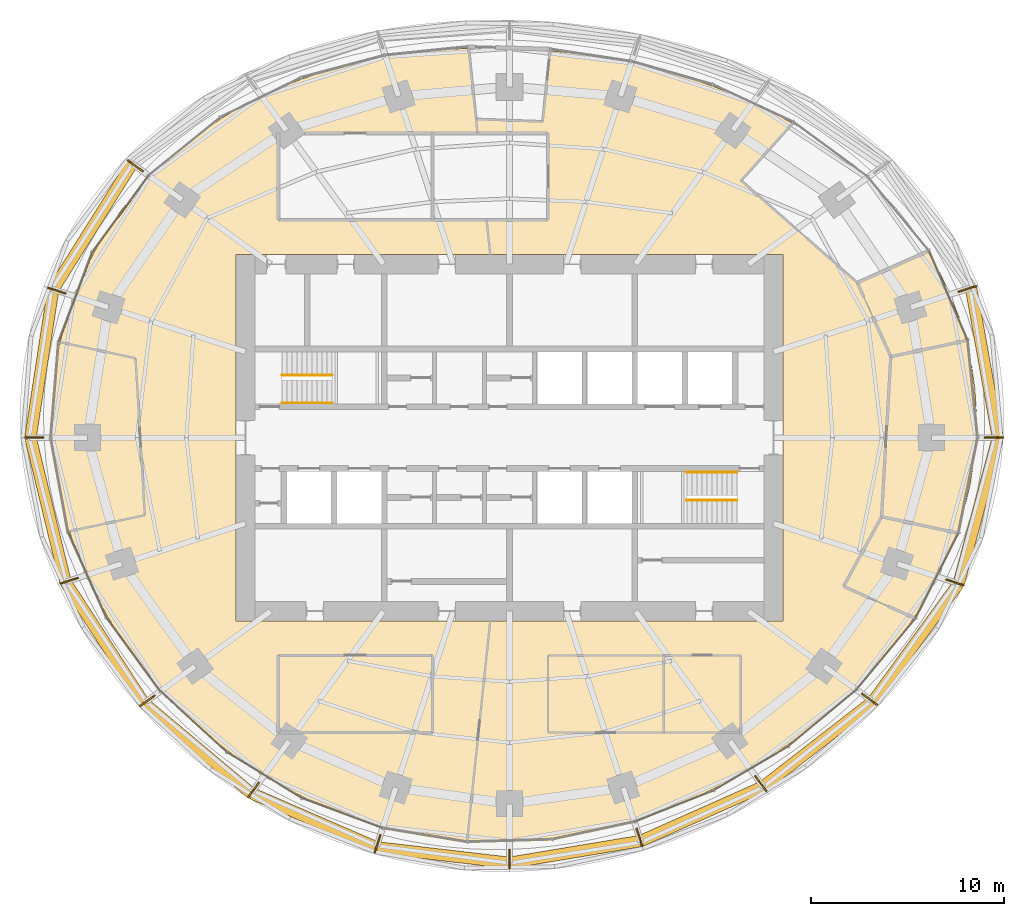
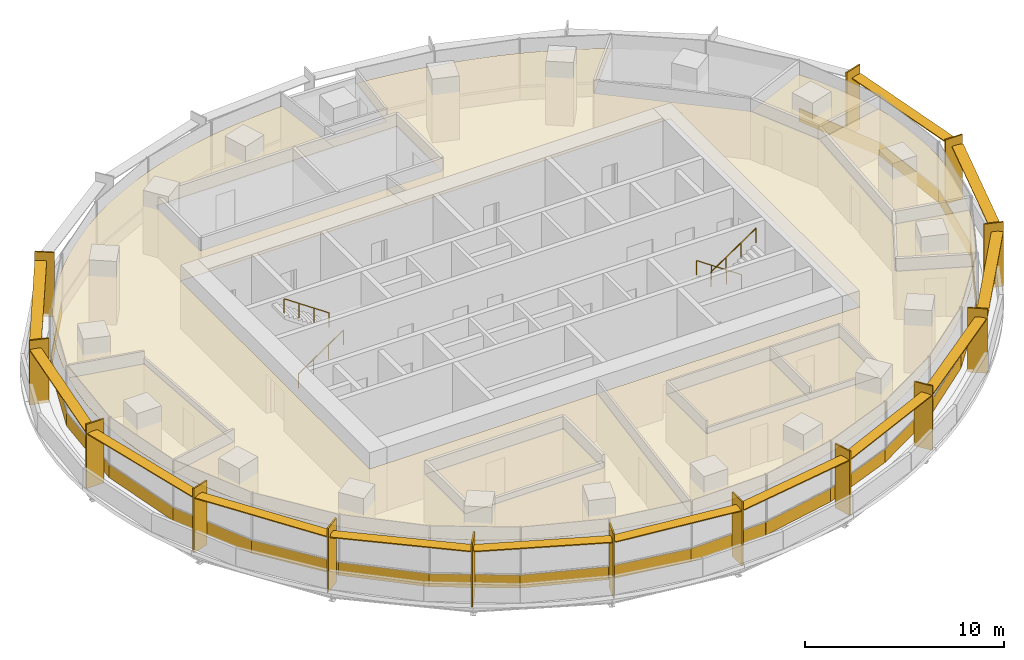
# One storey, part 16 of 17: 29 coverings, 27 shading devices, 4 railings.
"""IFC4 building model written with IfcOpenShell, lengths in metres."""

from ifc_helpers import new_model, si_unit, direction, frame, origin, origin_2d, place, context, subcontext, project, spatial, polyline, rectangle, circle, outline, extrude, material, layer, layer_set, type_object, element, save


model = new_model("IFC4")

# Units and contexts
model_context = context("Model", 3, precision=1e-05, world=origin(), true_north=direction((0.0, 1.0)))
body_context = subcontext(model_context, "Body", "Model", "MODEL_VIEW")
ifc_project = project(units=[si_unit("LENGTHUNIT", "METRE"), si_unit("AREAUNIT", "SQUARE_METRE"), si_unit("VOLUMEUNIT", "CUBIC_METRE"), si_unit("PLANEANGLEUNIT", "RADIAN"), si_unit("MASSUNIT", "GRAM", prefix="KILO")], contexts=[model_context])

# Site, building, storey
site_placement = place(None, origin())
site = spatial("IfcSite", under=ifc_project, at=site_placement, CompositionType="ELEMENT")
building_placement = place(site_placement, origin())
building = spatial("IfcBuilding", under=site, at=building_placement, Name="Marramba Exchange Tower", CompositionType="ELEMENT")
storey_placement = place(building_placement, frame((0.0, 0.0, 172.10009765625)))
storey = spatial("IfcBuildingStorey", under=building, at=storey_placement, Name="L41", CompositionType="ELEMENT", Elevation=172.10009765625)

# Shading devices
ifc_material_1 = material(Name="Aluminium blade, timber-look bronze finish", Category="wood")
ifc_layer_1 = layer(ifc_material_1, 0.080078125)
ifc_layer_set_1 = layer_set([ifc_layer_1], Name="Floor-edge blade 1000x80")
shading_device_type_1 = type_object("IfcShadingDeviceType", Name="Floor-edge blade 1000x80", PredefinedType="USERDEFINED", material=ifc_layer_set_1)
for number, where, z_axis, x_axis, name in (
    (1, (25.14404296875, 0.0, -0.199951171875), (0.0, 0.0, 1.0), (1.0, 0.0, 0.0), "Floor-edge blade FB1 L41 TC01"),
    (2, (23.757080078125, 7.718994140625, -0.199951171875), (0.0, 0.0, 1.0), (0.951056516295, 0.309016994375, 0.0), "Floor-edge blade FB1 L41 TC02"),
    (3, (-19.4140625, 14.105224609375, -0.199951171875), (0.0, 0.0, 1.0), (-0.809016994375, 0.587785252292, 0.0), "Floor-edge blade FB1 L41 TC09"),
    (4, (-23.488525390625, 7.6318359375, -0.199951171875), (0.0, 0.0, 1.0), (-0.951056516295, 0.309016994375, 0.0), "Floor-edge blade FB1 L41 TC10"),
    (5, (-24.656005859375, 0.0, -0.199951171875), (0.0, 0.0, 1.0), (-1.0, 0.0, 0.0), "Floor-edge blade FB1 L41 TC11"),
    (6, (-22.848876953125, -7.424072265625, -0.199951171875), (0.0, 0.0, 1.0), (-0.951056516295, -0.309016994375, 0.0), "Floor-edge blade FB1 L41 TC12"),
    (7, (-18.7998046875, -13.658935546875, -0.199951171875), (0.0, 0.0, 1.0), (-0.809016994375, -0.587785252292, 0.0), "Floor-edge blade FB1 L41 TC13"),
    (8, (-13.2841796875, -18.2841796875, -0.199951171875), (0.0, 0.0, 1.0), (-0.587785252292, -0.809016994375, 0.0), "Floor-edge blade FB1 L41 TC14"),
    (9, (-6.845703125, -21.069091796875, -0.199951171875), (0.0, 0.0, 1.0), (-0.309016994375, -0.951056516295, 0.0), "Floor-edge blade FB1 L41 TC15"),
    (10, (0.0, -21.86376953125, -0.199951171875), (0.0, 0.0, 1.0), (0.0, -1.0, 0.0), "Floor-edge blade FB1 L41 TC16"),
    (11, (6.739501953125, -20.741943359375, -0.199951171875), (0.0, 0.0, 1.0), (0.309016994375, -0.951056516295, 0.0), "Floor-edge blade FB1 L41 TC17"),
    (12, (13.0380859375, -17.9453125, -0.199951171875), (0.0, 0.0, 1.0), (0.587785252292, -0.809016994375, 0.0), "Floor-edge blade FB1 L41 TC18"),
    (13, (18.6845703125, -13.5751953125, -0.199951171875), (0.0, 0.0, 1.0), (0.809016994375, -0.587785252292, 0.0), "Floor-edge blade FB1 L41 TC19"),
    (14, (23.1171875, -7.51123046875, -0.199951171875), (0.0, 0.0, 1.0), (0.951056516295, -0.309016994375, 0.0), "Floor-edge blade FB1 L41 TC20"),
):
    element("IfcShadingDevice", number, at=place(storey_placement, frame(where, z_axis=z_axis, x_axis=x_axis)), inside=storey, type_object=shading_device_type_1, Name=name, ObjectType="FIN", PredefinedType="USERDEFINED", context=body_context, shape_type="SweptSolid", body=[
        extrude(rectangle(XDim=1.0, YDim=0.080078125, at=origin_2d()), origin(), (0.0, 0.0, 1.0), 3.93994140625),
    ])
ifc_material_2 = material(Name="Aluminium sunshade, bronze anodised", Category="aluminium")
ifc_layer_2 = layer(ifc_material_2, 0.06005859375)
ifc_layer_set_2 = layer_set([ifc_layer_2], Name="SUNSHADE blade 600x60")
shading_device_type_2 = type_object("IfcShadingDeviceType", Name="SUNSHADE blade 600x60", PredefinedType="USERDEFINED", material=ifc_layer_set_2)
shading_device_1_placement = place(storey_placement, frame((24.6455078125, 3.890380859375, 3.159912109375), z_axis=(0.0, 0.0, 1.0), x_axis=(-0.176690623809, 0.984266439262, 0.0)))
element("IfcShadingDevice", 15, at=shading_device_1_placement, inside=storey, type_object=shading_device_type_2, Name="Sunshade SS1 L41 bay 01", ObjectType="SUNSHADE", PredefinedType="USERDEFINED", context=body_context, shape_type="SweptSolid", body=[
    extrude(rectangle(XDim=7.8251953125, YDim=0.60009765625, at=origin_2d()), origin(), (0.0, 0.0, 1.0), 0.06005859375),
])
shading_device_2_placement = place(storey_placement, frame((-21.62744140625, 10.958251953125, 3.159912109375), z_axis=(0.0, 0.0, 1.0), x_axis=(-0.532082259983, -0.846692664792, 0.0)))
element("IfcShadingDevice", 16, at=shading_device_2_placement, inside=storey, type_object=shading_device_type_2, Name="Sunshade SS1 L41 bay 09", ObjectType="SUNSHADE", PredefinedType="USERDEFINED", context=body_context, shape_type="SweptSolid", body=[
    extrude(rectangle(XDim=7.631103515625, YDim=0.60009765625, at=origin_2d()), origin(), (0.0, 0.0, 1.0), 0.06005859375),
])
shading_device_3_placement = place(storey_placement, frame((-24.267333984375, 3.846923828125, 3.159912109375), z_axis=(0.0, 0.0, 1.0), x_axis=(-0.151240669327, -0.988496970123, 0.0)))
element("IfcShadingDevice", 17, at=shading_device_3_placement, inside=storey, type_object=shading_device_type_2, Name="Sunshade SS1 L41 bay 10", ObjectType="SUNSHADE", PredefinedType="USERDEFINED", context=body_context, shape_type="SweptSolid", body=[
    extrude(rectangle(XDim=7.703369140625, YDim=0.60009765625, at=origin_2d()), origin(), (0.0, 0.0, 1.0), 0.06005859375),
])
shading_device_4_placement = place(storey_placement, frame((-23.947509765625, -3.742919921875, 3.159912109375), z_axis=(0.0, 0.0, 1.0), x_axis=(0.235861488454, -0.971786683519, 0.0)))
element("IfcShadingDevice", 18, at=shading_device_4_placement, inside=storey, type_object=shading_device_type_2, Name="Sunshade SS1 L41 bay 11", ObjectType="SUNSHADE", PredefinedType="USERDEFINED", context=body_context, shape_type="SweptSolid", body=[
    extrude(rectangle(XDim=7.623291015625, YDim=0.60009765625, at=origin_2d()), origin(), (0.0, 0.0, 1.0), 0.06005859375),
])
shading_device_5_placement = place(storey_placement, frame((-21.000244140625, -10.631103515625, 3.159912109375), z_axis=(0.0, 0.0, 1.0), x_axis=(0.543921771105, -0.839135928749, 0.0)))
element("IfcShadingDevice", 19, at=shading_device_5_placement, inside=storey, type_object=shading_device_type_2, Name="Sunshade SS1 L41 bay 12", ObjectType="SUNSHADE", PredefinedType="USERDEFINED", context=body_context, shape_type="SweptSolid", body=[
    extrude(rectangle(XDim=7.41650390625, YDim=0.60009765625, at=origin_2d()), origin(), (0.0, 0.0, 1.0), 0.06005859375),
])
shading_device_6_placement = place(storey_placement, frame((-16.181640625, -16.111083984375, 3.159912109375), z_axis=(0.0, 0.0, 1.0), x_axis=(0.765761970568, -0.643124097225, 0.0)))
element("IfcShadingDevice", 20, at=shading_device_6_placement, inside=storey, type_object=shading_device_type_2, Name="Sunshade SS1 L41 bay 13", ObjectType="SUNSHADE", PredefinedType="USERDEFINED", context=body_context, shape_type="SweptSolid", body=[
    extrude(rectangle(XDim=7.1806640625, YDim=0.60009765625, at=origin_2d()), origin(), (0.0, 0.0, 1.0), 0.06005859375),
])
shading_device_7_placement = place(storey_placement, frame((-10.154541015625, -19.8525390625, 3.159912109375), z_axis=(0.0, 0.0, 1.0), x_axis=(0.917589256742, -0.397529817639, 0.0)))
element("IfcShadingDevice", 21, at=shading_device_7_placement, inside=storey, type_object=shading_device_type_2, Name="Sunshade SS1 L41 bay 14", ObjectType="SUNSHADE", PredefinedType="USERDEFINED", context=body_context, shape_type="SweptSolid", body=[
    extrude(rectangle(XDim=6.997314453125, YDim=0.60009765625, at=origin_2d()), origin(), (0.0, 0.0, 1.0), 0.06005859375),
])
shading_device_8_placement = place(storey_placement, frame((-3.453857421875, -21.66162109375, 3.159912109375), z_axis=(0.0, 0.0, 1.0), x_axis=(0.993288257497, -0.1156651958, 0.0)))
element("IfcShadingDevice", 22, at=shading_device_8_placement, inside=storey, type_object=shading_device_type_2, Name="Sunshade SS1 L41 bay 15", ObjectType="SUNSHADE", PredefinedType="USERDEFINED", context=body_context, shape_type="SweptSolid", body=[
    extrude(rectangle(XDim=6.874267578125, YDim=0.60009765625, at=origin_2d()), origin(), (0.0, 0.0, 1.0), 0.06005859375),
])
shading_device_9_placement = place(storey_placement, frame((3.400634765625, -21.498046875, 3.159912109375), z_axis=(0.0, 0.0, 1.0), x_axis=(0.986439622954, 0.164124557168, 0.0)))
element("IfcShadingDevice", 23, at=shading_device_9_placement, inside=storey, type_object=shading_device_type_2, Name="Sunshade SS1 L41 bay 16", ObjectType="SUNSHADE", PredefinedType="USERDEFINED", context=body_context, shape_type="SweptSolid", body=[
    extrude(rectangle(XDim=6.814697265625, YDim=0.60009765625, at=origin_2d()), origin(), (0.0, 0.0, 1.0), 0.06005859375),
])
shading_device_10_placement = place(storey_placement, frame((9.978515625, -19.519775390625, 3.159912109375), z_axis=(0.0, 0.0, 1.0), x_axis=(0.913771678576, 0.406228161792, 0.0)))
element("IfcShadingDevice", 24, at=shading_device_10_placement, inside=storey, type_object=shading_device_type_2, Name="Sunshade SS1 L41 bay 17", ObjectType="SUNSHADE", PredefinedType="USERDEFINED", context=body_context, shape_type="SweptSolid", body=[
    extrude(rectangle(XDim=6.8740234375, YDim=0.60009765625, at=origin_2d()), origin(), (0.0, 0.0, 1.0), 0.06005859375),
])
shading_device_11_placement = place(storey_placement, frame((16.0009765625, -15.89990234375, 3.159912109375), z_axis=(0.0, 0.0, 1.0), x_axis=(0.790133082515, 0.612935324414, 0.0)))
element("IfcShadingDevice", 25, at=shading_device_11_placement, inside=storey, type_object=shading_device_type_2, Name="Sunshade SS1 L41 bay 18", ObjectType="SUNSHADE", PredefinedType="USERDEFINED", context=body_context, shape_type="SweptSolid", body=[
    extrude(rectangle(XDim=7.122314453125, YDim=0.60009765625, at=origin_2d()), origin(), (0.0, 0.0, 1.0), 0.06005859375),
])
shading_device_12_placement = place(storey_placement, frame((21.076904296875, -10.6328125, 3.159912109375), z_axis=(0.0, 0.0, 1.0), x_axis=(0.589071758439, 0.808080728275, 0.0)))
element("IfcShadingDevice", 26, at=shading_device_12_placement, inside=storey, type_object=shading_device_type_2, Name="Sunshade SS1 L41 bay 19", ObjectType="SUNSHADE", PredefinedType="USERDEFINED", context=body_context, shape_type="SweptSolid", body=[
    extrude(rectangle(XDim=7.4931640625, YDim=0.60009765625, at=origin_2d()), origin(), (0.0, 0.0, 1.0), 0.06005859375),
])
shading_device_13_placement = place(storey_placement, frame((24.32568359375, -3.78662109375, 3.159912109375), z_axis=(0.0, 0.0, 1.0), x_axis=(0.259692365654, 0.965691397508, 0.0)))
element("IfcShadingDevice", 27, at=shading_device_13_placement, inside=storey, type_object=shading_device_type_2, Name="Sunshade SS1 L41 bay 20", ObjectType="SUNSHADE", PredefinedType="USERDEFINED", context=body_context, shape_type="SweptSolid", body=[
    extrude(rectangle(XDim=7.76220703125, YDim=0.60009765625, at=origin_2d()), origin(), (0.0, 0.0, 1.0), 0.06005859375),
])

# Coverings
ifc_material_3 = material(Name="Aluminium spandrel panel, bronze anodised, insulated", Category="aluminium")
ifc_layer_3 = layer(ifc_material_3, 0.050048828125)
ifc_layer_set_3 = layer_set([ifc_layer_3], Name="Spandrel panel 800")
covering_type_1 = type_object("IfcCoveringType", Name="Spandrel panel 800", PredefinedType="CLADDING", material=ifc_layer_set_3)
covering_1_placement = place(storey_placement, frame((24.036376953125, 2.527099609375, 0.0), z_axis=(0.0, 0.0, 1.0), x_axis=(-0.101422478545, 0.994843445395, 0.0)))
element("IfcCovering", 28, at=covering_1_placement, inside=storey, type_object=covering_type_1, Name="Spandrel panel SP1 L41 F01", PredefinedType="CLADDING", context=body_context, shape_type="SweptSolid", body=[
    extrude(rectangle(XDim=5.08056640625, YDim=0.050048828125, at=origin_2d()), origin(), (0.0, 0.0, 1.0), 0.800048828125),
])
covering_2_placement = place(storey_placement, frame((22.77734375, 7.374755859375, 0.0), z_axis=(0.0, 0.0, 1.0), x_axis=(-0.396193349205, 0.918167103552, 0.0)))
element("IfcCovering", 29, at=covering_2_placement, inside=storey, type_object=covering_type_1, Name="Spandrel panel SP1 L41 F02", PredefinedType="CLADDING", context=body_context, shape_type="SweptSolid", body=[
    extrude(rectangle(XDim=5.0546875, YDim=0.050048828125, at=origin_2d()), origin(), (0.0, 0.0, 1.0), 0.800048828125),
])
covering_3_placement = place(storey_placement, frame((-20.184326171875, 11.62060546875, 0.0), z_axis=(0.0, 0.0, 1.0), x_axis=(-0.591962919465, -0.805965198987, 0.0)))
element("IfcCovering", 30, at=covering_3_placement, inside=storey, type_object=covering_type_1, Name="Spandrel panel SP1 L41 F13", PredefinedType="CLADDING", context=body_context, shape_type="SweptSolid", body=[
    extrude(rectangle(XDim=4.925537109375, YDim=0.050048828125, at=origin_2d()), origin(), (0.0, 0.0, 1.0), 0.800048828125),
])
covering_4_placement = place(storey_placement, frame((-22.518798828125, 7.30419921875, 0.0), z_axis=(0.0, 0.0, 1.0), x_axis=(-0.351951514464, -0.936018232443, 0.0)))
element("IfcCovering", 31, at=covering_4_placement, inside=storey, type_object=covering_type_1, Name="Spandrel panel SP1 L41 F14", PredefinedType="CLADDING", context=body_context, shape_type="SweptSolid", body=[
    extrude(rectangle(XDim=4.981689453125, YDim=0.050048828125, at=origin_2d()), origin(), (0.0, 0.0, 1.0), 0.800048828125),
])
covering_5_placement = place(storey_placement, frame((-23.600830078125, 2.486328125, 0.0), z_axis=(0.0, 0.0, 1.0), x_axis=(-0.082280881776, -0.996609179415, 0.0)))
element("IfcCovering", 32, at=covering_5_placement, inside=storey, type_object=covering_type_1, Name="Spandrel panel SP1 L41 F15", PredefinedType="CLADDING", context=body_context, shape_type="SweptSolid", body=[
    extrude(rectangle(XDim=4.98974609375, YDim=0.050048828125, at=origin_2d()), origin(), (0.0, 0.0, 1.0), 0.800048828125),
])
covering_6_placement = place(storey_placement, frame((-23.359619140625, -2.43505859375, 0.0), z_axis=(0.0, 0.0, 1.0), x_axis=(0.180327442841, -0.983606635479, 0.0)))
element("IfcCovering", 33, at=covering_6_placement, inside=storey, type_object=covering_type_1, Name="Spandrel panel SP1 L41 F16", PredefinedType="CLADDING", context=body_context, shape_type="SweptSolid", body=[
    extrude(rectangle(XDim=4.951416015625, YDim=0.050048828125, at=origin_2d()), origin(), (0.0, 0.0, 1.0), 0.800048828125),
])
covering_7_placement = place(storey_placement, frame((-21.920654296875, -7.093994140625, 0.0), z_axis=(0.0, 0.0, 1.0), x_axis=(0.407557582153, -0.913179509861, 0.0)))
element("IfcCovering", 34, at=covering_7_placement, inside=storey, type_object=covering_type_1, Name="Spandrel panel SP1 L41 F17", PredefinedType="CLADDING", context=body_context, shape_type="SweptSolid", body=[
    extrude(rectangle(XDim=4.870361328125, YDim=0.050048828125, at=origin_2d()), origin(), (0.0, 0.0, 1.0), 0.800048828125),
])
covering_8_placement = place(storey_placement, frame((-19.520263671875, -11.238525390625, 0.0), z_axis=(0.0, 0.0, 1.0), x_axis=(0.591223097085, -0.80650805915, 0.0)))
element("IfcCovering", 35, at=covering_8_placement, inside=storey, type_object=covering_type_1, Name="Spandrel panel SP1 L41 F18", PredefinedType="CLADDING", context=body_context, shape_type="SweptSolid", body=[
    extrude(rectangle(XDim=4.762939453125, YDim=0.050048828125, at=origin_2d()), origin(), (0.0, 0.0, 1.0), 0.800048828125),
])
covering_9_placement = place(storey_placement, frame((-16.396240234375, -14.73193359375, 0.0), z_axis=(0.0, 0.0, 1.0), x_axis=(0.737203259599, -0.67567103981, 0.0)))
element("IfcCovering", 36, at=covering_9_placement, inside=storey, type_object=covering_type_1, Name="Spandrel panel SP1 L41 F19", PredefinedType="CLADDING", context=body_context, shape_type="SweptSolid", body=[
    extrude(rectangle(XDim=4.65478515625, YDim=0.050048828125, at=origin_2d()), origin(), (0.0, 0.0, 1.0), 0.800048828125),
])
covering_10_placement = place(storey_placement, frame((-12.73583984375, -17.497802734375, 0.0), z_axis=(0.0, 0.0, 1.0), x_axis=(0.852301010692, -0.52305161043, 0.0)))
element("IfcCovering", 37, at=covering_10_placement, inside=storey, type_object=covering_type_1, Name="Spandrel panel SP1 L41 F20", PredefinedType="CLADDING", context=body_context, shape_type="SweptSolid", body=[
    extrude(rectangle(XDim=4.563232421875, YDim=0.050048828125, at=origin_2d()), origin(), (0.0, 0.0, 1.0), 0.800048828125),
])
covering_11_placement = place(storey_placement, frame((-8.687255859375, -19.47607421875, 0.0), z_axis=(0.0, 0.0, 1.0), x_axis=(0.936951581946, -0.349459200892, 0.0)))
element("IfcCovering", 38, at=covering_11_placement, inside=storey, type_object=covering_type_1, Name="Spandrel panel SP1 L41 F21", PredefinedType="CLADDING", context=body_context, shape_type="SweptSolid", body=[
    extrude(rectangle(XDim=4.491455078125, YDim=0.050048828125, at=origin_2d()), origin(), (0.0, 0.0, 1.0), 0.800048828125),
])
covering_12_placement = place(storey_placement, frame((-4.393798828125, -20.6181640625, 0.0), z_axis=(0.0, 0.0, 1.0), x_axis=(0.98693062179, -0.161145734582, 0.0)))
element("IfcCovering", 39, at=covering_12_placement, inside=storey, type_object=covering_type_1, Name="Spandrel panel SP1 L41 F22", PredefinedType="CLADDING", context=body_context, shape_type="SweptSolid", body=[
    extrude(rectangle(XDim=4.4365234375, YDim=0.050048828125, at=origin_2d()), origin(), (0.0, 0.0, 1.0), 0.800048828125),
])
covering_13_placement = place(storey_placement, frame((-0.0068359375, -20.9111328125, 0.0), z_axis=(0.0, 0.0, 1.0), x_axis=(0.99956791932, 0.02939344597, 0.0)))
element("IfcCovering", 40, at=covering_13_placement, inside=storey, type_object=covering_type_1, Name="Spandrel panel SP1 L41 F23", PredefinedType="CLADDING", context=body_context, shape_type="SweptSolid", body=[
    extrude(rectangle(XDim=4.3974609375, YDim=0.050048828125, at=origin_2d()), origin(), (0.0, 0.0, 1.0), 0.800048828125),
])
covering_14_placement = place(storey_placement, frame((4.333984375, -20.389892578125, 0.0), z_axis=(0.0, 0.0, 1.0), x_axis=(0.978058068956, 0.208332459664, 0.0)))
element("IfcCovering", 41, at=covering_14_placement, inside=storey, type_object=covering_type_1, Name="Spandrel panel SP1 L41 F24", PredefinedType="CLADDING", context=body_context, shape_type="SweptSolid", body=[
    extrude(rectangle(XDim=4.3818359375, YDim=0.050048828125, at=origin_2d()), origin(), (0.0, 0.0, 1.0), 0.800048828125),
])
covering_15_placement = place(storey_placement, frame((8.525390625, -19.124267578125, 0.0), z_axis=(0.0, 0.0, 1.0), x_axis=(0.93007301151, 0.367374731386, 0.0)))
element("IfcCovering", 42, at=covering_15_placement, inside=storey, type_object=covering_type_1, Name="Spandrel panel SP1 L41 F25", PredefinedType="CLADDING", context=body_context, shape_type="SweptSolid", body=[
    extrude(rectangle(XDim=4.405517578125, YDim=0.050048828125, at=origin_2d()), origin(), (0.0, 0.0, 1.0), 0.800048828125),
])
covering_16_placement = place(storey_placement, frame((12.50634765625, -17.175537109375, 0.0), z_axis=(0.0, 0.0, 1.0), x_axis=(0.861350829898, 0.508010578466, 0.0)))
element("IfcCovering", 43, at=covering_16_placement, inside=storey, type_object=covering_type_1, Name="Spandrel panel SP1 L41 F26", PredefinedType="CLADDING", context=body_context, shape_type="SweptSolid", body=[
    extrude(rectangle(XDim=4.486572265625, YDim=0.050048828125, at=origin_2d()), origin(), (0.0, 0.0, 1.0), 0.800048828125),
])
covering_17_placement = place(storey_placement, frame((16.2177734375, -14.5556640625, 0.0), z_axis=(0.0, 0.0, 1.0), x_axis=(0.768736803132, 0.639565264465, 0.0)))
element("IfcCovering", 44, at=covering_17_placement, inside=storey, type_object=covering_type_1, Name="Spandrel panel SP1 L41 F27", PredefinedType="CLADDING", context=body_context, shape_type="SweptSolid", body=[
    extrude(rectangle(XDim=4.628662109375, YDim=0.050048828125, at=origin_2d()), origin(), (0.0, 0.0, 1.0), 0.800048828125),
])
covering_18_placement = place(storey_placement, frame((19.529541015625, -11.2265625, 0.0), z_axis=(0.0, 0.0, 1.0), x_axis=(0.638149992226, 0.769912064733, 0.0)))
element("IfcCovering", 45, at=covering_18_placement, inside=storey, type_object=covering_type_1, Name="Spandrel panel SP1 L41 F28", PredefinedType="CLADDING", context=body_context, shape_type="SweptSolid", body=[
    extrude(rectangle(XDim=4.80322265625, YDim=0.050048828125, at=origin_2d()), origin(), (0.0, 0.0, 1.0), 0.800048828125),
])
covering_19_placement = place(storey_placement, frame((22.17919921875, -7.16455078125, 0.0), z_axis=(0.0, 0.0, 1.0), x_axis=(0.450673091404, 0.892689063832, 0.0)))
element("IfcCovering", 46, at=covering_19_placement, inside=storey, type_object=covering_type_1, Name="Spandrel panel SP1 L41 F29", PredefinedType="CLADDING", context=body_context, shape_type="SweptSolid", body=[
    extrude(rectangle(XDim=4.957763671875, YDim=0.050048828125, at=origin_2d()), origin(), (0.0, 0.0, 1.0), 0.800048828125),
])
covering_20_placement = place(storey_placement, frame((23.795166015625, -2.475830078125, 0.0), z_axis=(0.0, 0.0, 1.0), x_axis=(0.197495401381, 0.980303813332, 0.0)))
element("IfcCovering", 47, at=covering_20_placement, inside=storey, type_object=covering_type_1, Name="Spandrel panel SP1 L41 F30", PredefinedType="CLADDING", context=body_context, shape_type="SweptSolid", body=[
    extrude(rectangle(XDim=5.05126953125, YDim=0.050048828125, at=origin_2d()), origin(), (0.0, 0.0, 1.0), 0.800048828125),
])

# Railings
ifc_material_4 = material(Name="Stainless steel handrail", Category="steel")
railing_type = type_object("IfcRailingType", Name="Stair handrail 900", PredefinedType="HANDRAIL", material=ifc_material_4)
railing_1_placement = place(storey_placement, frame((-11.800048828125, 1.800048828125, 0.17724609375)))
element("IfcRailing", 48, at=railing_1_placement, inside=storey, type_object=railing_type, Name="Handrail HR1 ST1 L41 flight 1", PredefinedType="HANDRAIL", context=body_context, shape_type="SweptSolid", body=[
    extrude(circle(Radius=0.02392578125, at=origin_2d()), frame((0.0, 0.0, 0.8759765625), z_axis=(0.826240473404, 0.0, 0.563317565952), x_axis=(0.0, 1.0, 0.0)), (0.0, 0.0, 1.0), 3.14697265625),
    extrude(circle(Radius=0.02099609375, at=origin_2d()), origin(), (0.0, 0.0, 1.0), 0.851806640625),
    extrude(circle(Radius=0.02099609375, at=origin_2d()), frame((0.86669921875, 0.0, 0.5908203125)), (0.0, 0.0, 1.0), 0.851806640625),
    extrude(circle(Radius=0.02099609375, at=origin_2d()), frame((1.7333984375, 0.0, 1.181884765625)), (0.0, 0.0, 1.0), 0.851806640625),
    extrude(circle(Radius=0.02099609375, at=origin_2d()), frame((2.60009765625, 0.0, 1.772705078125)), (0.0, 0.0, 1.0), 0.851806640625),
])
for number, where, name in (
    (49, (-9.199951171875, 3.25, 2.127197265625), "Handrail HR1 ST1 L41 flight 2"),
    (50, (11.800048828125, -1.800048828125, 0.17724609375), "Handrail HR1 ST2 L41 flight 1"),
):
    element("IfcRailing", number, at=place(storey_placement, frame(where)), inside=storey, type_object=railing_type, Name=name, PredefinedType="HANDRAIL", context=body_context, shape_type="SweptSolid", body=[
        extrude(circle(Radius=0.02392578125, at=origin_2d()), frame((0.0, 0.0, 0.8759765625), z_axis=(-0.826240473404, 0.0, 0.563317565952), x_axis=(0.0, -1.0, 0.0)), (0.0, 0.0, 1.0), 3.14697265625),
        extrude(circle(Radius=0.02099609375, at=origin_2d()), origin(), (0.0, 0.0, 1.0), 0.851806640625),
        extrude(circle(Radius=0.02099609375, at=origin_2d()), frame((-0.86669921875, 0.0, 0.5908203125)), (0.0, 0.0, 1.0), 0.851806640625),
        extrude(circle(Radius=0.02099609375, at=origin_2d()), frame((-1.7333984375, 0.0, 1.181884765625)), (0.0, 0.0, 1.0), 0.851806640625),
        extrude(circle(Radius=0.02099609375, at=origin_2d()), frame((-2.60009765625, 0.0, 1.772705078125)), (0.0, 0.0, 1.0), 0.851806640625),
    ])
railing_2_placement = place(storey_placement, frame((9.199951171875, -3.25, 2.127197265625)))
element("IfcRailing", 51, at=railing_2_placement, inside=storey, type_object=railing_type, Name="Handrail HR1 ST2 L41 flight 2", PredefinedType="HANDRAIL", context=body_context, shape_type="SweptSolid", body=[
    extrude(circle(Radius=0.02392578125, at=origin_2d()), frame((0.0, 0.0, 0.8759765625), z_axis=(0.826240473404, 0.0, 0.563317565952), x_axis=(0.0, 1.0, 0.0)), (0.0, 0.0, 1.0), 3.14697265625),
    extrude(circle(Radius=0.02099609375, at=origin_2d()), origin(), (0.0, 0.0, 1.0), 0.851806640625),
    extrude(circle(Radius=0.02099609375, at=origin_2d()), frame((0.86669921875, 0.0, 0.5908203125)), (0.0, 0.0, 1.0), 0.851806640625),
    extrude(circle(Radius=0.02099609375, at=origin_2d()), frame((1.7333984375, 0.0, 1.181884765625)), (0.0, 0.0, 1.0), 0.851806640625),
    extrude(circle(Radius=0.02099609375, at=origin_2d()), frame((2.60009765625, 0.0, 1.772705078125)), (0.0, 0.0, 1.0), 0.851806640625),
])

# Coverings
ifc_material_5 = material(Name="Mineral fibre ceiling tiles", Category="gypsum")
ifc_layer_4 = layer(ifc_material_5, 0.02001953125)
ifc_layer_set_4 = layer_set([ifc_layer_4], Name="Suspended ceiling 20")
covering_type_2 = type_object("IfcCoveringType", Name="Suspended ceiling 20", PredefinedType="CEILING", material=ifc_layer_set_4)
covering_21_placement = place(storey_placement, frame((0.0, 0.0, 2.89990234375)))
element("IfcCovering", 52, at=covering_21_placement, inside=storey, type_object=covering_type_2, Name="Ceiling CL1 L41 Client Reception", PredefinedType="CEILING", context=body_context, shape_type="SweptSolid", body=[
    extrude(outline(polyline([(14.199951171875, 9.5), (-0.99853515625, 9.5), (-1.187744140625, 11.300048828125), (2.0, 11.300048828125), (2.0, 15.800048828125), (-1.66064453125, 15.800048828125), (-1.737060546875, 16.52734375), (1.723388671875, 16.398193359375), (2.1103515625, 20.077880859375), (3.16259765625, 19.96728515625), (4.214111328125, 19.82568359375), (5.265869140625, 19.65234375), (6.318359375, 19.445556640625), (7.371826171875, 19.2041015625), (8.426025390625, 18.92529296875), (9.480712890625, 18.60693359375), (10.5341796875, 18.245849609375), (11.584716796875, 17.839111328125), (12.6298828125, 17.383544921875), (13.666259765625, 16.87646484375), (14.689453125, 16.314453125), (12.012939453125, 13.341796875), (18.048828125, 8.035888671875), (19.787841796875, 4.2060546875), (19.3056640625, -4.103515625), (17.334716796875, -7.718017578125), (20.989013671875, -9.344970703125), (20.286865234375, -10.336669921875), (19.539794921875, -11.28125), (18.753173828125, -12.178466796875), (17.93212890625, -13.028564453125), (17.08154296875, -13.832275390625), (16.204833984375, -14.5908203125), (15.30517578125, -15.30517578125), (14.38525390625, -15.976318359375), (13.44677734375, -16.60546875), (12.491455078125, -17.193115234375), (11.520263671875, -17.73974609375), (10.5341796875, -18.245849609375), (9.53369140625, -18.711181640625), (8.51953125, -19.13525390625), (7.4921875, -19.517578125), (6.4521484375, -19.857421875), (5.400146484375, -20.153564453125), (4.337158203125, -20.404541015625), (3.26416015625, -20.609619140625), (2.1826171875, -20.766845703125), (1.093994140625, -20.875244140625), (0.0, -20.93359375), (-1.097412109375, -20.94091796875), (-2.1962890625, -20.89599609375), (-0.99853515625, -9.5), (14.199951171875, -9.5), (14.199951171875, 9.5)]), holes=[polyline([(2.0, -11.300048828125), (2.0, -15.300048828125), (8.0, -15.300048828125), (12.0, -15.300048828125), (12.0, -11.300048828125), (8.0, -11.300048828125), (2.0, -11.300048828125)])]), origin(), (0.0, 0.0, 1.0), 0.02001953125),
])
covering_22_placement = place(storey_placement, frame((0.0, 0.0, 2.89990234375)))
element("IfcCovering", 53, at=covering_22_placement, inside=storey, type_object=covering_type_2, Name="Ceiling CL1 L41 Advisory Office", PredefinedType="CEILING", context=body_context, shape_type="SweptSolid", body=[
    extrude(outline(polyline([(-14.199951171875, 9.5), (-14.199951171875, -9.5), (-0.99853515625, -9.5), (-2.1962890625, -20.89599609375), (-3.294189453125, -20.79833984375), (-4.388916015625, -20.6474609375), (-5.477783203125, -20.44287109375), (-6.558349609375, -20.184814453125), (-7.62841796875, -19.873046875), (-8.685546875, -19.50830078125), (-9.727294921875, -19.091064453125), (-10.75146484375, -18.621826171875), (-11.755615234375, -18.101806640625), (-12.737548828125, -17.53173828125), (-13.6953125, -16.912353515625), (-14.626953125, -16.2451171875), (-15.5302734375, -15.5302734375), (-16.403076171875, -14.769287109375), (-17.242919921875, -13.962890625), (-18.04736328125, -13.1123046875), (-18.81396484375, -12.218017578125), (-19.539794921875, -11.28125), (-20.22119140625, -10.30322265625), (-20.85498046875, -9.285400390625), (-21.4375, -8.22900390625), (-21.96435546875, -7.13671875), (-22.431640625, -6.010498046875), (-22.8349609375, -4.853759765625), (-18.92236328125, -4.022216796875), (-19.404541015625, 4.12451171875), (-23.317138671875, 4.956298828125), (-23.002197265625, 6.163330078125), (-22.604248046875, 7.344482421875), (-22.125244140625, 8.4931640625), (-21.569091796875, 9.603271484375), (-20.939697265625, 10.669189453125), (-20.24169921875, 11.6865234375), (-19.48046875, 12.650634765625), (-18.66162109375, 13.55859375), (-17.79150390625, 14.4072265625), (-16.87548828125, 15.19482421875), (-15.920166015625, 15.920166015625), (-14.931396484375, 16.5830078125), (-13.914794921875, 17.183349609375), (-12.8759765625, 17.722412109375), (-11.820068359375, 18.201171875), (-10.75146484375, 18.621826171875), (-9.67431640625, 18.98681640625), (-8.59228515625, 19.29833984375), (-7.50830078125, 19.559326171875), (-6.424560546875, 19.77294921875), (-5.34326171875, 19.941650390625), (-4.265625, 20.068603515625), (-3.1923828125, 20.15625), (-2.123779296875, 20.20703125), (-1.66064453125, 15.800048828125), (-4.0, 15.800048828125), (-12.0, 15.800048828125), (-12.0, 11.300048828125), (-4.0, 11.300048828125), (-1.187744140625, 11.300048828125), (-1.177001953125, 11.198486328125), (-0.99853515625, 9.5), (-14.199951171875, 9.5)]), holes=[polyline([(-12.0, -15.300048828125), (-4.0, -15.300048828125), (-4.0, -11.300048828125), (-12.0, -11.300048828125), (-12.0, -15.300048828125)])]), origin(), (0.0, 0.0, 1.0), 0.02001953125),
])
covering_23_placement = place(storey_placement, frame((0.0, 0.0, 2.89990234375)))
element("IfcCovering", 54, at=covering_23_placement, inside=storey, type_object=covering_type_2, Name="Ceiling CL1 L41 Client Meeting Room 1", PredefinedType="CEILING", context=body_context, shape_type="SweptSolid", body=[
    extrude(outline(polyline([(22.760986328125, -6.098876953125), (22.62744140625, -6.383544921875), (22.23291015625, -7.223876953125), (21.7080078125, -8.18212890625), (21.639892578125, -8.306884765625), (20.989013671875, -9.344970703125), (17.334716796875, -7.718017578125), (19.3056640625, -4.103515625), (23.218017578125, -4.935302734375), (22.760986328125, -6.098876953125)])), origin(), (0.0, 0.0, 1.0), 0.02001953125),
])
covering_24_placement = place(storey_placement, frame((0.0, 0.0, 2.89990234375)))
element("IfcCovering", 55, at=covering_24_placement, inside=storey, type_object=covering_type_2, Name="Ceiling CL1 L41 Client Meeting Room 2", PredefinedType="CEILING", context=body_context, shape_type="SweptSolid", body=[
    extrude(outline(polyline([(23.80322265625, 4.5732421875), (23.974853515625, 3.797119140625), (24.15234375, 2.53857421875), (24.23193359375, 1.27001953125), (24.214111328125, 0.0), (24.10009765625, -1.262939453125), (23.89306640625, -2.51123046875), (23.800048828125, -2.897705078125), (23.597412109375, -3.737548828125), (23.35009765625, -4.518310546875), (23.218017578125, -4.935302734375), (19.3056640625, -4.103515625), (19.787841796875, 4.2060546875), (23.700439453125, 5.03759765625), (23.80322265625, 4.5732421875)])), origin(), (0.0, 0.0, 1.0), 0.02001953125),
])
covering_25_placement = place(storey_placement, frame((0.0, 0.0, 2.89990234375)))
element("IfcCovering", 56, at=covering_25_placement, inside=storey, type_object=covering_type_2, Name="Ceiling CL1 L41 Client Meeting Room 3", PredefinedType="CEILING", context=body_context, shape_type="SweptSolid", body=[
    extrude(outline(polyline([(22.32763671875, 8.57080078125), (22.87255859375, 7.431640625), (23.109375, 6.822998046875), (23.331787109375, 6.251708984375), (23.700439453125, 5.03759765625), (19.787841796875, 4.2060546875), (18.048828125, 8.035888671875), (21.702880859375, 9.662841796875), (22.32763671875, 8.57080078125)])), origin(), (0.0, 0.0, 1.0), 0.02001953125),
])
covering_26_placement = place(storey_placement, frame((0.0, 0.0, 2.89990234375)))
element("IfcCovering", 57, at=covering_26_placement, inside=storey, type_object=covering_type_2, Name="Ceiling CL1 L41 Office 2", PredefinedType="CEILING", context=body_context, shape_type="SweptSolid", body=[
    extrude(outline(polyline([(-23.02734375, -4.17333984375), (-23.169921875, -3.669677734375), (-23.432373046875, -2.462890625), (-23.618896484375, -1.23779296875), (-23.72607421875, 0.0), (-23.7509765625, 1.24462890625), (-23.691650390625, 2.489990234375), (-23.547119140625, 3.7294921875), (-23.406494140625, 4.47998046875), (-23.317138671875, 4.956298828125), (-19.404541015625, 4.12451171875), (-18.92236328125, -4.022216796875), (-22.8349609375, -4.853759765625), (-23.02734375, -4.17333984375)])), origin(), (0.0, 0.0, 1.0), 0.02001953125),
])
covering_27_placement = place(storey_placement, frame((0.0, 0.0, 2.89990234375)))
element("IfcCovering", 58, at=covering_27_placement, inside=storey, type_object=covering_type_2, Name="Ceiling CL1 L41 Meeting Room 3", PredefinedType="CEILING", context=body_context, shape_type="SweptSolid", body=[
    extrude(outline(polyline([(-4.0, -15.300048828125), (-12.0, -15.300048828125), (-12.0, -11.300048828125), (-4.0, -11.300048828125), (-4.0, -15.300048828125)])), origin(), (0.0, 0.0, 1.0), 0.02001953125),
])
covering_28_placement = place(storey_placement, frame((0.0, 0.0, 2.89990234375)))
element("IfcCovering", 59, at=covering_28_placement, inside=storey, type_object=covering_type_2, Name="Ceiling CL1 L41 Pantry", PredefinedType="CEILING", context=body_context, shape_type="SweptSolid", body=[
    extrude(outline(polyline([(8.0, -15.300048828125), (2.0, -15.300048828125), (2.0, -11.300048828125), (8.0, -11.300048828125), (8.0, -15.300048828125)])), origin(), (0.0, 0.0, 1.0), 0.02001953125),
])
covering_29_placement = place(storey_placement, frame((0.0, 0.0, 2.89990234375)))
element("IfcCovering", 60, at=covering_29_placement, inside=storey, type_object=covering_type_2, Name="Ceiling CL1 L41 Print Room 1", PredefinedType="CEILING", context=body_context, shape_type="SweptSolid", body=[
    extrude(outline(polyline([(12.0, -15.300048828125), (8.0, -15.300048828125), (8.0, -11.300048828125), (12.0, -11.300048828125), (12.0, -15.300048828125)])), origin(), (0.0, 0.0, 1.0), 0.02001953125),
])

save(model, "model.ifc")
